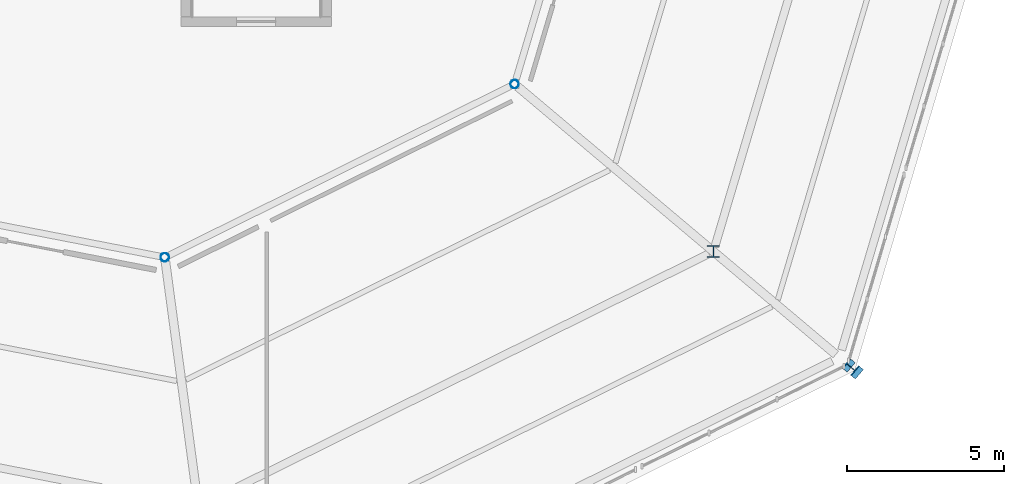
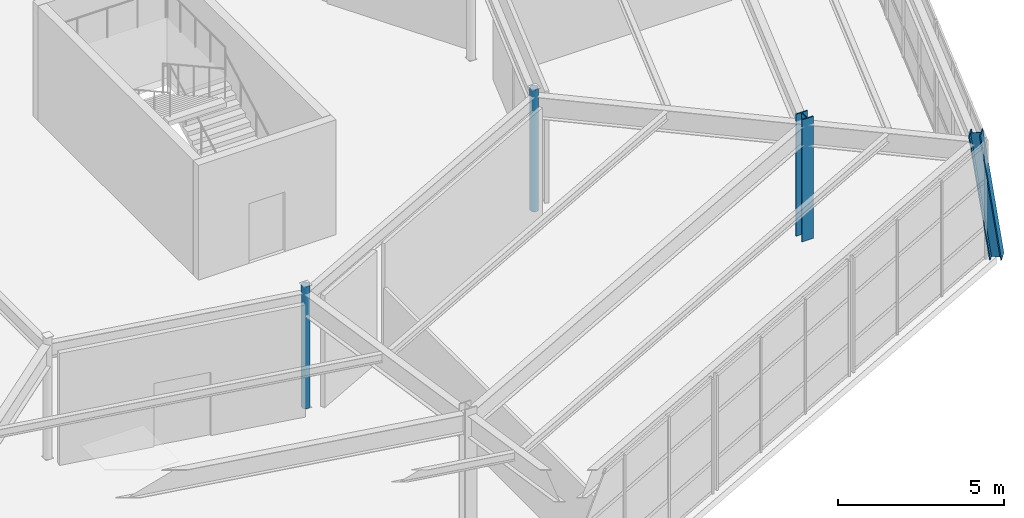
# One storey, part 13 of 88: 4 columns.
"""IFC4 building model written with IfcOpenShell, lengths in metres."""

import ifcopenshell
import ifcopenshell.guid

model = None  # the IFC model being written
_history = None  # IfcOwnerHistory: only IFC2X3 demands one
_inside = {}  # id of a spatial element -> (the spatial element, [elements in it])
_under = {}  # id of a project, library or spatial element -> (it, [spatial elements below it])
_declared = {}  # id of a project -> (the project, [libraries it declares])
_typed = {}  # id of a type object -> (the type object, [elements of that type])
_made_of = {}  # id of a material, layer set ... -> (it, [elements and type objects made of it])


def new_model(schema):
    """Start an empty IFC model of exactly this schema.

    Asked for "IFC4X3", IfcOpenShell would pick the latest addendum, in which some entities
    have other attributes; the version numbers below select the first issue.
    IFC2X3 requires an IfcOwnerHistory on every rooted entity: one is made here for all.
    """
    global model, _history
    if schema == "IFC4X3":
        model = ifcopenshell.file(schema_version=(4, 3, 0, 0))
    else:
        model = ifcopenshell.file(schema=schema)
    _inside.clear()
    _under.clear()
    _declared.clear()
    _typed.clear()
    _made_of.clear()
    _history = None
    if model.schema == "IFC2X3":
        org = make("IfcOrganization", Name="unknown")
        user = make(
            "IfcPersonAndOrganization",
            ThePerson=make("IfcPerson", FamilyName="unknown"),
            TheOrganization=org,
        )
        app = make(
            "IfcApplication",
            ApplicationDeveloper=org,
            Version="unknown",
            ApplicationFullName="unknown",
            ApplicationIdentifier="unknown",
        )
        _history = make(
            "IfcOwnerHistory",
            OwningUser=user,
            OwningApplication=app,
            ChangeAction="ADDED",
            CreationDate=0,
        )
    return model


def make(cls, **values):
    """One entity of the class cls with the attributes given. An attribute that is None is left unset."""
    return model.create_entity(
        cls, **{name: value for name, value in values.items() if value is not None}
    )


def rooted(cls, **values):
    """An entity with a GlobalId (a new one), such as an element, a storey or a relation."""
    return make(cls, GlobalId=ifcopenshell.guid.new(), OwnerHistory=_history, **values)


def si_unit(unit_type, name, prefix=None):
    """IfcSIUnit, for example si_unit("LENGTHUNIT", "METRE", prefix="MILLI")."""
    return make("IfcSIUnit", UnitType=unit_type, Prefix=prefix, Name=name)


def assignment(units):
    """IfcUnitAssignment: the units of a project."""
    return None if units is None else make("IfcUnitAssignment", Units=units)


def point(xyz):
    """IfcCartesianPoint."""
    return None if xyz is None else make("IfcCartesianPoint", Coordinates=xyz)


def direction(xyz):
    """IfcDirection."""
    return None if xyz is None else make("IfcDirection", DirectionRatios=xyz)


def frame(location, z_axis=None, x_axis=None):
    """IfcAxis2Placement3D, a coordinate frame: its origin and axes. An axis left out is left unset."""
    return make(
        "IfcAxis2Placement3D",
        Location=point(location),
        Axis=direction(z_axis),
        RefDirection=direction(x_axis),
    )


def frame_2d(location, x_axis=None):
    """IfcAxis2Placement2D, a coordinate frame in the plane: its origin and x axis."""
    return make(
        "IfcAxis2Placement2D", Location=point(location), RefDirection=direction(x_axis)
    )


def origin():
    """The frame at (0, 0, 0) with its axes left unset."""
    return frame((0.0, 0.0, 0.0))


def origin_2d():
    """The frame at (0, 0) in the plane with its x axis left unset."""
    return frame_2d((0.0, 0.0))


def place(relative_to, where):
    """IfcLocalPlacement: puts the frame where relative to a parent placement (None: the world)."""
    return make(
        "IfcLocalPlacement", PlacementRelTo=relative_to, RelativePlacement=where
    )


def context(
    kind, dimensions, precision=None, world=None, true_north=None, identifier=None
):
    """IfcGeometricRepresentationContext, for example the 3D "Model" context."""
    return make(
        "IfcGeometricRepresentationContext",
        ContextIdentifier=identifier,
        ContextType=kind,
        CoordinateSpaceDimension=dimensions,
        Precision=precision,
        WorldCoordinateSystem=world,
        TrueNorth=true_north,
    )


def subcontext(parent, identifier, kind, view, scale=None):
    """IfcGeometricRepresentationSubContext, for example "Body" below "Model"."""
    return make(
        "IfcGeometricRepresentationSubContext",
        ContextIdentifier=identifier,
        ContextType=kind,
        ParentContext=parent,
        TargetScale=scale,
        TargetView=view,
    )


def project(units=None, contexts=None):
    """IfcProject with its units and contexts."""
    return rooted(
        "IfcProject",
        Name="project",
        RepresentationContexts=contexts,
        UnitsInContext=assignment(units),
    )


def spatial(cls, under=None, at=None, **own):
    """A site, building, storey or space (cls), placed at a placement, below another one or the project."""
    s = rooted(cls, ObjectPlacement=at, **own)
    if under is not None:
        _under.setdefault(under.id(), (under, []))[1].append(s)
    return s


def profile(cls, at=None, kind="AREA", **sizes):
    """A parametric profile (cls). Its sizes go by their IFC names, for example OverallWidth=200.0."""
    return make(cls, ProfileType=kind, Position=at, **sizes)


def hollow_circle(**sizes):
    """IfcCircleHollowProfileDef."""
    return profile("IfcCircleHollowProfileDef", **sizes)


def i_section(**sizes):
    """IfcIShapeProfileDef."""
    return profile("IfcIShapeProfileDef", **sizes)


def extrude(swept, where, along, depth):
    """IfcExtrudedAreaSolid: the profile swept, set in the frame where, extruded along a direction by depth."""
    return make(
        "IfcExtrudedAreaSolid",
        SweptArea=swept,
        Position=where,
        ExtrudedDirection=direction(along),
        Depth=depth,
    )


def shape(context_of_items, identifier, shape_type, items):
    """IfcShapeRepresentation: the items that make up one representation, for example the "Body"."""
    return make(
        "IfcShapeRepresentation",
        ContextOfItems=context_of_items,
        RepresentationIdentifier=identifier,
        RepresentationType=shape_type,
        Items=items,
    )


def material(Name=None, Category=None):
    """IfcMaterial."""
    return make("IfcMaterial", Name=Name, Category=Category)


def material_profile(
    of_material, cross_section, Name=None, Category=None, Priority=None
):
    """IfcMaterialProfile: a cross section and its material."""
    return make(
        "IfcMaterialProfile",
        Name=Name,
        Material=of_material,
        Profile=cross_section,
        Priority=Priority,
        Category=Category,
    )


def profile_set(profiles, Name=None, composite=None):
    """IfcMaterialProfileSet."""
    return make(
        "IfcMaterialProfileSet",
        Name=Name,
        MaterialProfiles=profiles,
        CompositeProfile=composite,
    )


def made_of(thing, what):
    """Note that an element or type object is made of a material, layer set ...; save() writes the relation."""
    if what is not None:
        _made_of.setdefault(what.id(), (what, []))[1].append(thing)
    return thing


def type_object(cls, material=None, **own):
    """A type object (cls), such as IfcWallType, which elements share."""
    return made_of(rooted(cls, **own), material)


def element(
    cls,
    number,
    at=None,
    inside=None,
    cuts=None,
    type_object=None,
    material=None,
    context=None,
    identifier="Body",
    shape_type=None,
    held_by="IfcProductDefinitionShape",
    body=None,
    shapes=None,
    **own,
):
    """One element of the class cls, such as IfcWall. Its Tag is "e" and its number.

    at: its placement. inside: the storey or other place that contains it. cuts: it is an
    opening in that element (IfcRelVoidsElement). A single representation is given by context,
    identifier, shape_type and body (its items); several are given by shapes. held_by: the class
    of the entity that holds the representations. save() writes the other relations.
    """
    e = rooted(cls, Tag="e%d" % number, ObjectPlacement=at, **own)
    if body is not None:
        shapes = [shape(context, identifier, shape_type, body)]
    if shapes is not None:
        e.Representation = make(held_by, Representations=shapes)
    if inside is not None:
        _inside.setdefault(inside.id(), (inside, []))[1].append(e)
    if cuts is not None:
        rooted(
            "IfcRelVoidsElement", RelatingBuildingElement=cuts, RelatedOpeningElement=e
        )
    if type_object is not None:
        _typed.setdefault(type_object.id(), (type_object, []))[1].append(e)
    return made_of(e, material)


def aggregate(whole, parts):
    """IfcRelAggregates: a whole, such as a stair, and the parts it consists of."""
    return rooted("IfcRelAggregates", RelatingObject=whole, RelatedObjects=parts)


def save(model, path):
    """Write the relations noted so far, then the file.

    IfcRelAggregates (storeys below a building ...), IfcRelContainedInSpatialStructure (elements
    in a storey), IfcRelDefinesByType, IfcRelAssociatesMaterial and IfcRelDeclares: one each for
    every whole, place, type object, material and project.
    """
    for whole, parts in _under.values():
        aggregate(whole, parts)
    for where, things in _inside.values():
        rooted(
            "IfcRelContainedInSpatialStructure",
            RelatedElements=things,
            RelatingStructure=where,
        )
    for kind, things in _typed.values():
        rooted("IfcRelDefinesByType", RelatedObjects=things, RelatingType=kind)
    for what, things in _made_of.values():
        rooted("IfcRelAssociatesMaterial", RelatedObjects=things, RelatingMaterial=what)
    for by, libraries in _declared.values():
        rooted("IfcRelDeclares", RelatingContext=by, RelatedDefinitions=libraries)
    model.write(path)


model = new_model("IFC4")

# Units and contexts
model_context = context("Model", 3, precision=1e-05, world=origin(), true_north=direction((0.0, 1.0)))
body_context = subcontext(model_context, "Body", "Model", "MODEL_VIEW")
ifc_project = project(units=[si_unit("LENGTHUNIT", "METRE"), si_unit("AREAUNIT", "SQUARE_METRE"), si_unit("VOLUMEUNIT", "CUBIC_METRE"), si_unit("PLANEANGLEUNIT", "RADIAN"), si_unit("MASSUNIT", "GRAM", prefix="KILO")], contexts=[model_context])

# Site, building, storey
site_placement = place(None, origin())
site = spatial("IfcSite", under=ifc_project, at=site_placement, CompositionType="ELEMENT")
building_placement = place(site_placement, origin())
building = spatial("IfcBuilding", under=site, at=building_placement, Name="Sarnbrook Museum", CompositionType="ELEMENT")
storey_placement = place(building_placement, frame((0.0, 0.0, 10.10009765625)))
storey = spatial("IfcBuildingStorey", under=building, at=storey_placement, Name="L02", CompositionType="ELEMENT", Elevation=10.10009765625)

# Columns
ifc_material_1 = material(Name="Structural Steel Hollow Section Grade C350L0 (AS/NZS 1163, fy = 350 MPa)", Category="steel")
ifc_material_profile_1 = material_profile(ifc_material_1, hollow_circle(Radius=0.136474609375, WallThickness=0.00927734375, at=origin_2d()), Name="273.1x9.3CHS")
ifc_profile_set_1 = profile_set([ifc_material_profile_1], Name="Structural Steel Hollow Section Grade C350L0 (AS/NZS 1163, fy = 350 MPa)")
column_type_1 = type_object("IfcColumnType", Name="COL-CHS273", PredefinedType="COLUMN", material=ifc_profile_set_1)
for number, where, z_axis, x_axis, name in (
    (1, (140.88720703125, 72.828857421875, 0.0), (0.0, 0.0, 1.0), (1.0, 0.0, 0.0), "Crystal Gallery Feature Column R2-2 L02"),
    (2, (152.05029296875, 78.356201171875, 0.0), (0.0, 0.0, 1.0), (1.0, 0.0, 0.0), "Crystal Gallery Feature Column R2-3 L02"),
):
    element("IfcColumn", number, at=place(storey_placement, frame(where, z_axis=z_axis, x_axis=x_axis)), inside=storey, type_object=column_type_1, Name=name, PredefinedType="COLUMN", context=body_context, shape_type="SweptSolid", body=[
        extrude(hollow_circle(Radius=0.136474609375, WallThickness=0.00927734375, at=origin_2d()), origin(), (0.0, 0.0, 1.0), 4.5),
    ])
ifc_material_2 = material(Name="Structural Steel Grade 350L0 (AS/NZS 3678, fy = 340 MPa for 20 < t <= 40 mm)", Category="steel")
ifc_material_profile_2 = material_profile(ifc_material_2, i_section(OverallWidth=0.39990234375, OverallDepth=0.382080078125, WebThickness=0.02490234375, FlangeThickness=0.035888671875, at=origin_2d()), Name="400WC270")
ifc_profile_set_2 = profile_set([ifc_material_profile_2], Name="Structural Steel Grade 350L0 (AS/NZS 3678, fy = 340 MPa for 20 < t <= 40 mm)")
column_type_2 = type_object("IfcColumnType", Name="COL-WC400", PredefinedType="COLUMN", material=ifc_profile_set_2)
column_1_placement = place(storey_placement, frame((162.905517578125, 69.21630859375, 0.0), z_axis=(-0.108747461016, 0.091562677053, 0.989843556272), x_axis=(-0.644077580192, -0.764960175888, 0.0)))
element("IfcColumn", 3, at=column_1_placement, inside=storey, type_object=column_type_2, Name="Raking Crystal Rib Column V3 L02", PredefinedType="COLUMN", context=body_context, shape_type="SweptSolid", body=[
    extrude(i_section(OverallWidth=0.39990234375, OverallDepth=0.382080078125, WebThickness=0.02490234375, FlangeThickness=0.035888671875, at=origin_2d()), origin(), (0.0, 0.0, 1.0), 4.546142578125),
])
column_2_placement = place(storey_placement, frame((158.392822265625, 73.015869140625, 0.0), z_axis=(0.0, 0.0, 1.0), x_axis=(1.0, 0.0, 0.0)))
element("IfcColumn", 4, at=column_2_placement, inside=storey, type_object=column_type_2, Name="Crystal Hall Ring Column R1-3 L02", PredefinedType="COLUMN", context=body_context, shape_type="SweptSolid", body=[
    extrude(i_section(OverallWidth=0.39990234375, OverallDepth=0.382080078125, WebThickness=0.02490234375, FlangeThickness=0.035888671875, at=origin_2d()), origin(), (0.0, 0.0, 1.0), 4.5),
])

save(model, "model.ifc")
